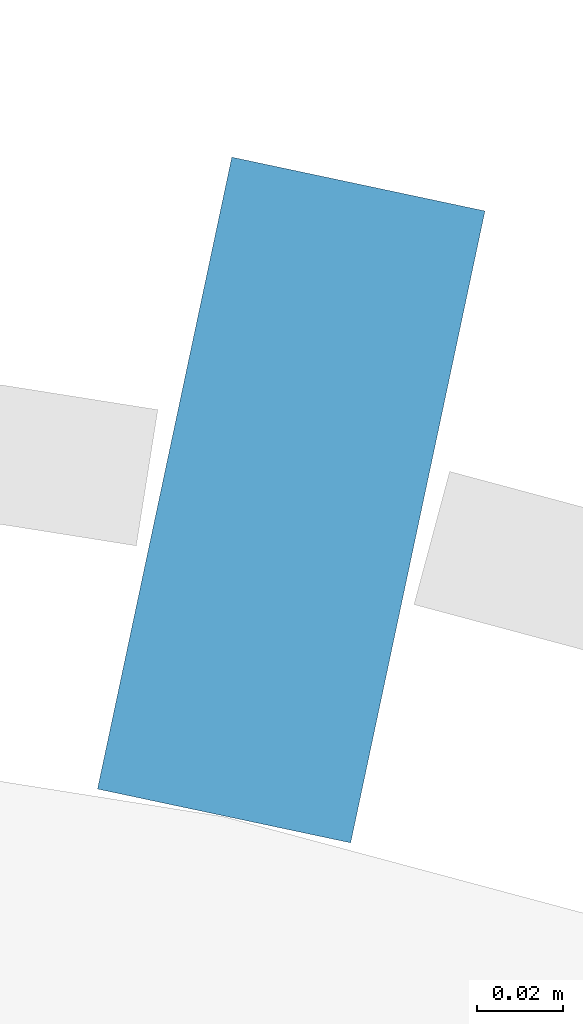
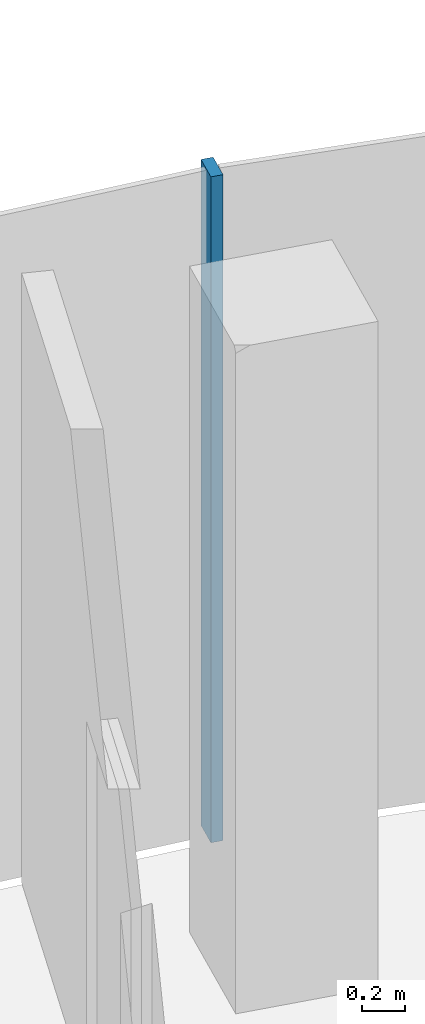
# One storey, part 7 of 18: 1 member, 1 element without a shape of its own.
"""IFC4 building model written with IfcOpenShell, lengths in metres."""

import ifcopenshell
import ifcopenshell.guid

model = None  # the IFC model being written
_history = None  # IfcOwnerHistory: only IFC2X3 demands one
_inside = {}  # id of a spatial element -> (the spatial element, [elements in it])
_under = {}  # id of a project, library or spatial element -> (it, [spatial elements below it])
_declared = {}  # id of a project -> (the project, [libraries it declares])
_typed = {}  # id of a type object -> (the type object, [elements of that type])
_made_of = {}  # id of a material, layer set ... -> (it, [elements and type objects made of it])


def new_model(schema):
    """Start an empty IFC model of exactly this schema.

    Asked for "IFC4X3", IfcOpenShell would pick the latest addendum, in which some entities
    have other attributes; the version numbers below select the first issue.
    IFC2X3 requires an IfcOwnerHistory on every rooted entity: one is made here for all.
    """
    global model, _history
    if schema == "IFC4X3":
        model = ifcopenshell.file(schema_version=(4, 3, 0, 0))
    else:
        model = ifcopenshell.file(schema=schema)
    _inside.clear()
    _under.clear()
    _declared.clear()
    _typed.clear()
    _made_of.clear()
    _history = None
    if model.schema == "IFC2X3":
        org = make("IfcOrganization", Name="unknown")
        user = make(
            "IfcPersonAndOrganization",
            ThePerson=make("IfcPerson", FamilyName="unknown"),
            TheOrganization=org,
        )
        app = make(
            "IfcApplication",
            ApplicationDeveloper=org,
            Version="unknown",
            ApplicationFullName="unknown",
            ApplicationIdentifier="unknown",
        )
        _history = make(
            "IfcOwnerHistory",
            OwningUser=user,
            OwningApplication=app,
            ChangeAction="ADDED",
            CreationDate=0,
        )
    return model


def make(cls, **values):
    """One entity of the class cls with the attributes given. An attribute that is None is left unset."""
    return model.create_entity(
        cls, **{name: value for name, value in values.items() if value is not None}
    )


def rooted(cls, **values):
    """An entity with a GlobalId (a new one), such as an element, a storey or a relation."""
    return make(cls, GlobalId=ifcopenshell.guid.new(), OwnerHistory=_history, **values)


def si_unit(unit_type, name, prefix=None):
    """IfcSIUnit, for example si_unit("LENGTHUNIT", "METRE", prefix="MILLI")."""
    return make("IfcSIUnit", UnitType=unit_type, Prefix=prefix, Name=name)


def assignment(units):
    """IfcUnitAssignment: the units of a project."""
    return None if units is None else make("IfcUnitAssignment", Units=units)


def point(xyz):
    """IfcCartesianPoint."""
    return None if xyz is None else make("IfcCartesianPoint", Coordinates=xyz)


def direction(xyz):
    """IfcDirection."""
    return None if xyz is None else make("IfcDirection", DirectionRatios=xyz)


def frame(location, z_axis=None, x_axis=None):
    """IfcAxis2Placement3D, a coordinate frame: its origin and axes. An axis left out is left unset."""
    return make(
        "IfcAxis2Placement3D",
        Location=point(location),
        Axis=direction(z_axis),
        RefDirection=direction(x_axis),
    )


def frame_2d(location, x_axis=None):
    """IfcAxis2Placement2D, a coordinate frame in the plane: its origin and x axis."""
    return make(
        "IfcAxis2Placement2D", Location=point(location), RefDirection=direction(x_axis)
    )


def origin():
    """The frame at (0, 0, 0) with its axes left unset."""
    return frame((0.0, 0.0, 0.0))


def origin_2d():
    """The frame at (0, 0) in the plane with its x axis left unset."""
    return frame_2d((0.0, 0.0))


def place(relative_to, where):
    """IfcLocalPlacement: puts the frame where relative to a parent placement (None: the world)."""
    return make(
        "IfcLocalPlacement", PlacementRelTo=relative_to, RelativePlacement=where
    )


def context(
    kind, dimensions, precision=None, world=None, true_north=None, identifier=None
):
    """IfcGeometricRepresentationContext, for example the 3D "Model" context."""
    return make(
        "IfcGeometricRepresentationContext",
        ContextIdentifier=identifier,
        ContextType=kind,
        CoordinateSpaceDimension=dimensions,
        Precision=precision,
        WorldCoordinateSystem=world,
        TrueNorth=true_north,
    )


def subcontext(parent, identifier, kind, view, scale=None):
    """IfcGeometricRepresentationSubContext, for example "Body" below "Model"."""
    return make(
        "IfcGeometricRepresentationSubContext",
        ContextIdentifier=identifier,
        ContextType=kind,
        ParentContext=parent,
        TargetScale=scale,
        TargetView=view,
    )


def project(units=None, contexts=None):
    """IfcProject with its units and contexts."""
    return rooted(
        "IfcProject",
        Name="project",
        RepresentationContexts=contexts,
        UnitsInContext=assignment(units),
    )


def spatial(cls, under=None, at=None, **own):
    """A site, building, storey or space (cls), placed at a placement, below another one or the project."""
    s = rooted(cls, ObjectPlacement=at, **own)
    if under is not None:
        _under.setdefault(under.id(), (under, []))[1].append(s)
    return s


def profile(cls, at=None, kind="AREA", **sizes):
    """A parametric profile (cls). Its sizes go by their IFC names, for example OverallWidth=200.0."""
    return make(cls, ProfileType=kind, Position=at, **sizes)


def rectangle(**sizes):
    """IfcRectangleProfileDef."""
    return profile("IfcRectangleProfileDef", **sizes)


def extrude(swept, where, along, depth):
    """IfcExtrudedAreaSolid: the profile swept, set in the frame where, extruded along a direction by depth."""
    return make(
        "IfcExtrudedAreaSolid",
        SweptArea=swept,
        Position=where,
        ExtrudedDirection=direction(along),
        Depth=depth,
    )


def shape(context_of_items, identifier, shape_type, items):
    """IfcShapeRepresentation: the items that make up one representation, for example the "Body"."""
    return make(
        "IfcShapeRepresentation",
        ContextOfItems=context_of_items,
        RepresentationIdentifier=identifier,
        RepresentationType=shape_type,
        Items=items,
    )


def material(Name=None, Category=None):
    """IfcMaterial."""
    return make("IfcMaterial", Name=Name, Category=Category)


def layer(
    of_material, thickness, ventilated=None, Name=None, Category=None, Priority=None
):
    """IfcMaterialLayer: one layer of a wall or slab, of a material (None: an air gap)."""
    return make(
        "IfcMaterialLayer",
        Material=of_material,
        LayerThickness=thickness,
        IsVentilated=ventilated,
        Name=Name,
        Category=Category,
        Priority=Priority,
    )


def layer_set(layers, Name=None):
    """IfcMaterialLayerSet."""
    return make("IfcMaterialLayerSet", MaterialLayers=layers, LayerSetName=Name)


def material_profile(
    of_material, cross_section, Name=None, Category=None, Priority=None
):
    """IfcMaterialProfile: a cross section and its material."""
    return make(
        "IfcMaterialProfile",
        Name=Name,
        Material=of_material,
        Profile=cross_section,
        Priority=Priority,
        Category=Category,
    )


def profile_set(profiles, Name=None, composite=None):
    """IfcMaterialProfileSet."""
    return make(
        "IfcMaterialProfileSet",
        Name=Name,
        MaterialProfiles=profiles,
        CompositeProfile=composite,
    )


def made_of(thing, what):
    """Note that an element or type object is made of a material, layer set ...; save() writes the relation."""
    if what is not None:
        _made_of.setdefault(what.id(), (what, []))[1].append(thing)
    return thing


def type_object(cls, material=None, **own):
    """A type object (cls), such as IfcWallType, which elements share."""
    return made_of(rooted(cls, **own), material)


def element(
    cls,
    number,
    at=None,
    inside=None,
    cuts=None,
    type_object=None,
    material=None,
    context=None,
    identifier="Body",
    shape_type=None,
    held_by="IfcProductDefinitionShape",
    body=None,
    shapes=None,
    **own,
):
    """One element of the class cls, such as IfcWall. Its Tag is "e" and its number.

    at: its placement. inside: the storey or other place that contains it. cuts: it is an
    opening in that element (IfcRelVoidsElement). A single representation is given by context,
    identifier, shape_type and body (its items); several are given by shapes. held_by: the class
    of the entity that holds the representations. save() writes the other relations.
    """
    e = rooted(cls, Tag="e%d" % number, ObjectPlacement=at, **own)
    if body is not None:
        shapes = [shape(context, identifier, shape_type, body)]
    if shapes is not None:
        e.Representation = make(held_by, Representations=shapes)
    if inside is not None:
        _inside.setdefault(inside.id(), (inside, []))[1].append(e)
    if cuts is not None:
        rooted(
            "IfcRelVoidsElement", RelatingBuildingElement=cuts, RelatedOpeningElement=e
        )
    if type_object is not None:
        _typed.setdefault(type_object.id(), (type_object, []))[1].append(e)
    return made_of(e, material)


def aggregate(whole, parts):
    """IfcRelAggregates: a whole, such as a stair, and the parts it consists of."""
    return rooted("IfcRelAggregates", RelatingObject=whole, RelatedObjects=parts)


def save(model, path):
    """Write the relations noted so far, then the file.

    IfcRelAggregates (storeys below a building ...), IfcRelContainedInSpatialStructure (elements
    in a storey), IfcRelDefinesByType, IfcRelAssociatesMaterial and IfcRelDeclares: one each for
    every whole, place, type object, material and project.
    """
    for whole, parts in _under.values():
        aggregate(whole, parts)
    for where, things in _inside.values():
        rooted(
            "IfcRelContainedInSpatialStructure",
            RelatedElements=things,
            RelatingStructure=where,
        )
    for kind, things in _typed.values():
        rooted("IfcRelDefinesByType", RelatedObjects=things, RelatingType=kind)
    for what, things in _made_of.values():
        rooted("IfcRelAssociatesMaterial", RelatedObjects=things, RelatingMaterial=what)
    for by, libraries in _declared.values():
        rooted("IfcRelDeclares", RelatingContext=by, RelatedDefinitions=libraries)
    model.write(path)


model = new_model("IFC4")

# Units and contexts
model_context = context("Model", 3, precision=1e-05, world=origin(), true_north=direction((0.0, 1.0)))
body_context = subcontext(model_context, "Body", "Model", "MODEL_VIEW")
ifc_project = project(units=[si_unit("LENGTHUNIT", "METRE"), si_unit("AREAUNIT", "SQUARE_METRE"), si_unit("VOLUMEUNIT", "CUBIC_METRE"), si_unit("PLANEANGLEUNIT", "RADIAN"), si_unit("MASSUNIT", "GRAM", prefix="KILO")], contexts=[model_context])

# Site, building, storey
site_placement = place(None, origin())
site = spatial("IfcSite", under=ifc_project, at=site_placement, CompositionType="ELEMENT")
building_placement = place(site_placement, origin())
building = spatial("IfcBuilding", under=site, at=building_placement, Name="Stone Belt Terrace Tower", CompositionType="ELEMENT")
storey_placement = place(building_placement, frame((0.0, 0.0, 273.199951171875)))
storey = spatial("IfcBuildingStorey", under=building, at=storey_placement, Name="L66", CompositionType="ELEMENT", Elevation=273.199951171875)

# Curtain wall, member
ifc_material = material(Name="Aluminium 6063-T6 anodised frame", Category="aluminium")
ifc_layer = layer(ifc_material, 0.14990234375)
ifc_layer_set = layer_set([ifc_layer], Name="CW-A unitised convex-face curtain wall")
curtain_wall_type = type_object("IfcCurtainWallType", Name="CW-A unitised convex-face curtain wall", PredefinedType="NOTDEFINED", material=ifc_layer_set)
curtain_wall_placement = place(storey_placement, origin())
curtain_wall = element("IfcCurtainWall", 1, at=curtain_wall_placement, inside=storey, type_object=curtain_wall_type, Name="CW-A convex face L66", PredefinedType="NOTDEFINED")
ifc_material_profile = material_profile(ifc_material, rectangle(XDim=0.14990234375, YDim=0.06005859375, at=origin_2d()), Name="Aluminium 6063-T6 60x150")
ifc_profile_set = profile_set([ifc_material_profile], Name="Aluminium 6063-T6 anodised frame")
member_type = type_object("IfcMemberType", Name="CW-A mullion 60 x 150", PredefinedType="MULLION", material=ifc_profile_set)
member_placement = place(storey_placement, frame((13.841796875, 65.120361328125, 0.0), z_axis=(0.0, 0.0, 1.0), x_axis=(-0.207911690818, -0.978147600734, 0.0)))
member = element("IfcMember", 2, at=member_placement, type_object=member_type, Name="CW-A mullion 6", PredefinedType="MULLION", context=body_context, shape_type="SweptSolid", body=[
    extrude(rectangle(XDim=0.14990234375, YDim=0.06005859375, at=origin_2d()), origin(), (0.0, 0.0, 1.0), 3.800048828125),
])
aggregate(curtain_wall, [member])

save(model, "model.ifc")
